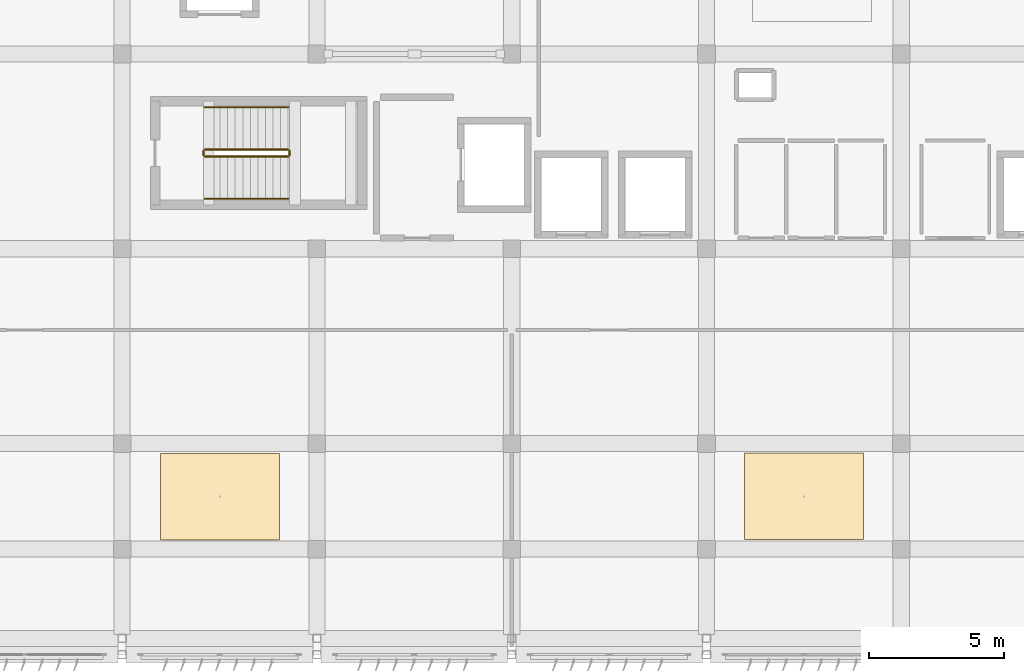
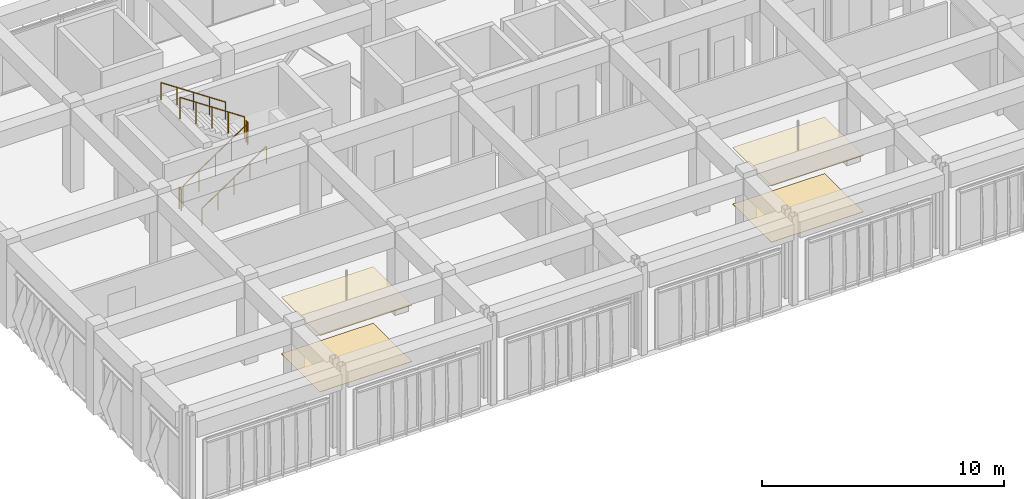
# One storey, part 54 of 56: 6 railings, 4 coverings.
"""IFC4 building model written with IfcOpenShell, lengths in metres."""

from ifc_helpers import new_model, si_unit, direction, frame, origin, origin_2d, place, context, subcontext, project, spatial, rectangle, circle, extrude, material, layer, layer_set, type_object, element, save


model = new_model("IFC4")

# Units and contexts
model_context = context("Model", 3, precision=1e-05, world=origin(), true_north=direction((0.0, 1.0)))
body_context = subcontext(model_context, "Body", "Model", "MODEL_VIEW")
ifc_project = project(units=[si_unit("LENGTHUNIT", "METRE"), si_unit("AREAUNIT", "SQUARE_METRE"), si_unit("VOLUMEUNIT", "CUBIC_METRE"), si_unit("PLANEANGLEUNIT", "RADIAN"), si_unit("MASSUNIT", "GRAM", prefix="KILO")], contexts=[model_context])

# Site, building, storey
site_placement = place(None, origin())
site = spatial("IfcSite", under=ifc_project, at=site_placement, CompositionType="ELEMENT")
building_placement = place(site_placement, origin())
building = spatial("IfcBuilding", under=site, at=building_placement, Name="Kazehaya Institute of Natural Sciences", CompositionType="ELEMENT")
storey_placement = place(building_placement, frame((0.0, 0.0, 28.800048828125)))
storey = spatial("IfcBuildingStorey", under=building, at=storey_placement, Name="L06", CompositionType="ELEMENT", Elevation=28.800048828125)

# Coverings
ifc_material_1 = material(Name="Mineral-fibre acoustic ceiling tile")
ifc_layer_1 = layer(ifc_material_1, 0.02490234375, Name="Mineral-fibre acoustic ceiling tile")
ifc_layer_set_1 = layer_set([ifc_layer_1], Name="Mineral-fibre acoustic ceiling tile")
covering_type_1 = type_object("IfcCoveringType", Name="COV-CEIL-AC", PredefinedType="CEILING", material=ifc_layer_set_1)
for number, where, z_axis, x_axis, name in (
    (1, (65.421875, 12.04052734375, 2.847412109375), (0.0, 0.0, 1.0), (1.0, 0.0, 0.0), "L06 Catalysis Synthesis Laboratory ceiling 56"),
    (2, (87.0, 12.050048828125, 2.847412109375), (0.0, 0.0, 1.0), (1.0, 0.0, 0.0), "L06 Electrochemistry Laboratory ceiling 57"),
):
    element("IfcCovering", number, at=place(storey_placement, frame(where, z_axis=z_axis, x_axis=x_axis)), inside=storey, type_object=covering_type_1, Name=name, PredefinedType="CEILING", context=body_context, shape_type="SweptSolid", body=[
        extrude(rectangle(XDim=4.39990234375, YDim=3.199951171875, at=origin_2d()), origin(), (0.0, 0.0, 1.0), 0.02490234375),
    ])
ifc_material_2 = material(Name="Seamless chemical-resistant epoxy flooring")
ifc_layer_2 = layer(ifc_material_2, 0.014892578125, Name="Seamless chemical-resistant epoxy flooring")
ifc_layer_set_2 = layer_set([ifc_layer_2], Name="Seamless chemical-resistant epoxy flooring")
covering_type_2 = type_object("IfcCoveringType", Name="COV-FLR-EPX", PredefinedType="FLOORING", material=ifc_layer_set_2)
for number, where, z_axis, x_axis, name in (
    (3, (65.421875, 12.04052734375, 0.0), (0.0, 0.0, 1.0), (1.0, 0.0, 0.0), "L06 Catalysis Synthesis Laboratory finish flooring 56"),
    (4, (87.0, 12.050048828125, 0.0), (0.0, 0.0, 1.0), (1.0, 0.0, 0.0), "L06 Electrochemistry Laboratory finish flooring 57"),
):
    element("IfcCovering", number, at=place(storey_placement, frame(where, z_axis=z_axis, x_axis=x_axis)), inside=storey, type_object=covering_type_2, Name=name, PredefinedType="FLOORING", context=body_context, shape_type="SweptSolid", body=[
        extrude(rectangle(XDim=4.39990234375, YDim=3.199951171875, at=origin_2d()), origin(), (0.0, 0.0, 1.0), 0.014892578125),
    ])

# Railings
ifc_material_3 = material(Name="Structural steel SN490B", Category="steel")
railing_type_1 = type_object("IfcRailingType", Name="RL-STAIR-GRD", PredefinedType="GUARDRAIL", material=ifc_material_3)
railing_1_placement = place(storey_placement, frame((64.860107421875, 24.610107421875, 0.1875)))
element("IfcRailing", 5, at=railing_1_placement, inside=storey, type_object=railing_type_1, Name="L06 ST-1 stair guard 1", PredefinedType="GUARDRAIL", context=body_context, shape_type="SweptSolid", body=[
    extrude(circle(Radius=0.02392578125, at=origin_2d()), frame((0.0, 0.0, 1.076171875), z_axis=(0.830893310487, 0.0, 0.556431762742), x_axis=(0.0, 1.0, 0.0)), (0.0, 0.0, 1.0), 3.70654296875),
    extrude(circle(Radius=0.02099609375, at=origin_2d()), origin(), (0.0, 0.0, 1.0), 1.052001953125),
    extrude(circle(Radius=0.02099609375, at=origin_2d()), frame((0.77001953125, 0.0, 0.515625)), (0.0, 0.0, 1.0), 1.052001953125),
    extrude(circle(Radius=0.02099609375, at=origin_2d()), frame((1.5400390625, 0.0, 1.03125)), (0.0, 0.0, 1.0), 1.052001953125),
    extrude(circle(Radius=0.02099609375, at=origin_2d()), frame((2.309814453125, 0.0, 1.546875)), (0.0, 0.0, 1.0), 1.052001953125),
    extrude(circle(Radius=0.02099609375, at=origin_2d()), frame((3.079833984375, 0.0, 2.0625)), (0.0, 0.0, 1.0), 1.052001953125),
])
railing_2_placement = place(storey_placement, frame((67.989990234375, 24.659912109375, 2.25)))
element("IfcRailing", 6, at=railing_2_placement, inside=storey, type_object=railing_type_1, Name="L06 ST-1 stair guard 2", PredefinedType="GUARDRAIL", context=body_context, shape_type="SweptSolid", body=[
    extrude(circle(Radius=0.02392578125, at=origin_2d()), frame((0.0, 0.0, 1.076171875), z_axis=(0.0, 1.0, 0.0), x_axis=(-1.0, 0.0, 0.0)), (0.0, 0.0, 1.0), 0.16015625),
    extrude(circle(Radius=0.02099609375, at=origin_2d()), origin(), (0.0, 0.0, 1.0), 1.052001953125),
    extrude(circle(Radius=0.02099609375, at=origin_2d()), frame((0.0, 0.16015625, 0.0)), (0.0, 0.0, 1.0), 1.052001953125),
])
railing_3_placement = place(storey_placement, frame((67.93994140625, 24.8701171875, 2.4375)))
element("IfcRailing", 7, at=railing_3_placement, inside=storey, type_object=railing_type_1, Name="L06 ST-1 stair guard 3", PredefinedType="GUARDRAIL", context=body_context, shape_type="SweptSolid", body=[
    extrude(circle(Radius=0.02392578125, at=origin_2d()), frame((0.0, 0.0, 1.076171875), z_axis=(-0.830893310487, 0.0, 0.556431762742), x_axis=(0.0, -1.0, 0.0)), (0.0, 0.0, 1.0), 3.70654296875),
    extrude(circle(Radius=0.02099609375, at=origin_2d()), origin(), (0.0, 0.0, 1.0), 1.052001953125),
    extrude(circle(Radius=0.02099609375, at=origin_2d()), frame((-0.77001953125, 0.0, 0.515625)), (0.0, 0.0, 1.0), 1.052001953125),
    extrude(circle(Radius=0.02099609375, at=origin_2d()), frame((-1.5400390625, 0.0, 1.03125)), (0.0, 0.0, 1.0), 1.052001953125),
    extrude(circle(Radius=0.02099609375, at=origin_2d()), frame((-2.309814453125, 0.0, 1.546875)), (0.0, 0.0, 1.0), 1.052001953125),
    extrude(circle(Radius=0.02099609375, at=origin_2d()), frame((-3.079833984375, 0.0, 2.0625)), (0.0, 0.0, 1.0), 1.052001953125),
])
railing_4_placement = place(storey_placement, frame((64.81005859375, 24.659912109375, 0.0)))
element("IfcRailing", 8, at=railing_4_placement, inside=storey, type_object=railing_type_1, Name="L06 ST-1 stair guard 4", PredefinedType="GUARDRAIL", context=body_context, shape_type="SweptSolid", body=[
    extrude(circle(Radius=0.02392578125, at=origin_2d()), frame((0.0, 0.0, 1.076171875), z_axis=(0.0, 1.0, 0.0), x_axis=(-1.0, 0.0, 0.0)), (0.0, 0.0, 1.0), 0.16015625),
    extrude(circle(Radius=0.02099609375, at=origin_2d()), origin(), (0.0, 0.0, 1.0), 1.052001953125),
    extrude(circle(Radius=0.02099609375, at=origin_2d()), frame((0.0, 0.16015625, 0.0)), (0.0, 0.0, 1.0), 1.052001953125),
])
ifc_material_4 = material(Name="Brushed stainless steel handrail", Category="steel")
railing_type_2 = type_object("IfcRailingType", Name="RL-STAIR-HND", PredefinedType="HANDRAIL", material=ifc_material_4)
railing_5_placement = place(storey_placement, frame((64.860107421875, 23.050048828125, 0.1875)))
element("IfcRailing", 9, at=railing_5_placement, inside=storey, type_object=railing_type_2, Name="L06 ST-1 stair handrail 1", PredefinedType="HANDRAIL", context=body_context, shape_type="SweptSolid", body=[
    extrude(circle(Radius=0.02392578125, at=origin_2d()), frame((0.0, 0.0, 0.8759765625), z_axis=(0.830893310487, 0.0, 0.556431762742), x_axis=(0.0, 1.0, 0.0)), (0.0, 0.0, 1.0), 3.70654296875),
    extrude(circle(Radius=0.02099609375, at=origin_2d()), origin(), (0.0, 0.0, 1.0), 0.851806640625),
    extrude(circle(Radius=0.02099609375, at=origin_2d()), frame((0.77001953125, 0.0, 0.515625)), (0.0, 0.0, 1.0), 0.851806640625),
    extrude(circle(Radius=0.02099609375, at=origin_2d()), frame((1.5400390625, 0.0, 1.03125)), (0.0, 0.0, 1.0), 0.851806640625),
    extrude(circle(Radius=0.02099609375, at=origin_2d()), frame((2.309814453125, 0.0, 1.546875)), (0.0, 0.0, 1.0), 0.851806640625),
    extrude(circle(Radius=0.02099609375, at=origin_2d()), frame((3.079833984375, 0.0, 2.0625)), (0.0, 0.0, 1.0), 0.851806640625),
])
railing_6_placement = place(storey_placement, frame((67.93994140625, 26.429931640625, 2.4375)))
element("IfcRailing", 10, at=railing_6_placement, inside=storey, type_object=railing_type_2, Name="L06 ST-1 stair handrail 2", PredefinedType="HANDRAIL", context=body_context, shape_type="SweptSolid", body=[
    extrude(circle(Radius=0.02392578125, at=origin_2d()), frame((0.0, 0.0, 0.8759765625), z_axis=(-0.830893310487, 0.0, 0.556431762742), x_axis=(0.0, -1.0, 0.0)), (0.0, 0.0, 1.0), 3.70654296875),
    extrude(circle(Radius=0.02099609375, at=origin_2d()), origin(), (0.0, 0.0, 1.0), 0.851806640625),
    extrude(circle(Radius=0.02099609375, at=origin_2d()), frame((-0.77001953125, 0.0, 0.515625)), (0.0, 0.0, 1.0), 0.851806640625),
    extrude(circle(Radius=0.02099609375, at=origin_2d()), frame((-1.5400390625, 0.0, 1.03125)), (0.0, 0.0, 1.0), 0.851806640625),
    extrude(circle(Radius=0.02099609375, at=origin_2d()), frame((-2.309814453125, 0.0, 1.546875)), (0.0, 0.0, 1.0), 0.851806640625),
    extrude(circle(Radius=0.02099609375, at=origin_2d()), frame((-3.079833984375, 0.0, 2.0625)), (0.0, 0.0, 1.0), 0.851806640625),
])

save(model, "model.ifc")
